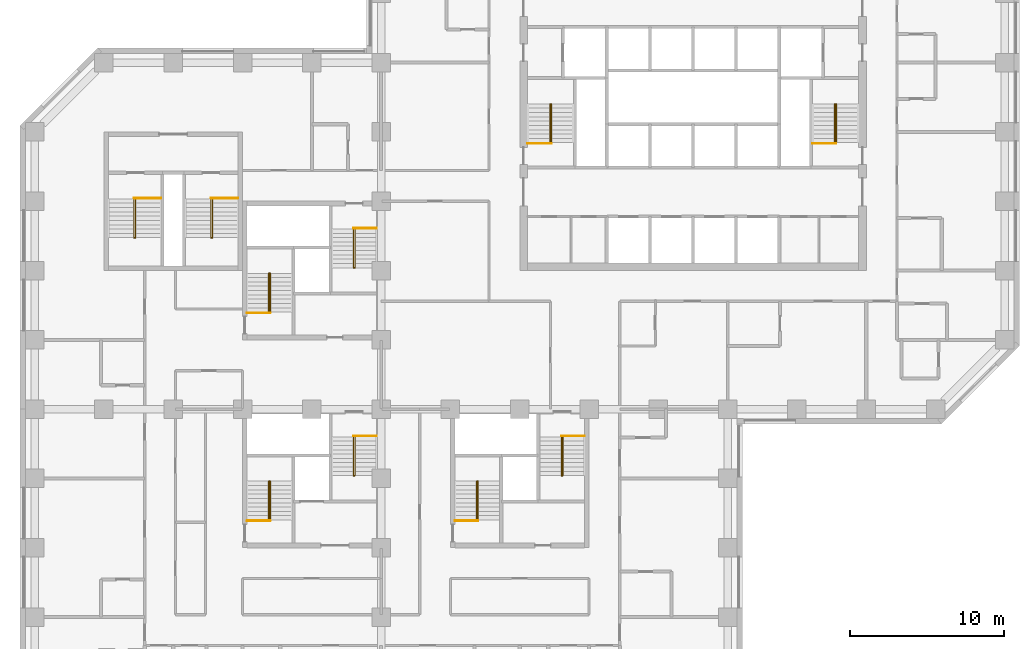
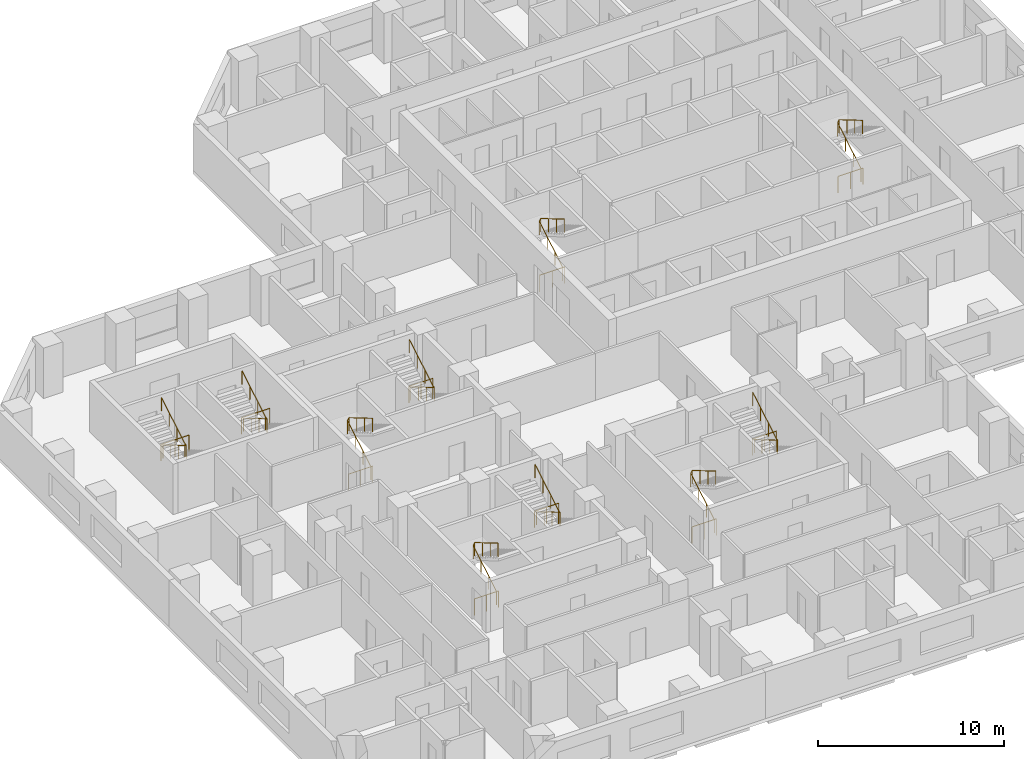
# One storey, part 12 of 12: 20 railings.
"""IFC4 building model written with IfcOpenShell, lengths in metres."""

from ifc_helpers import new_model, si_unit, direction, frame, origin, origin_2d, place, context, subcontext, project, spatial, circle, extrude, material, type_object, element, save


model = new_model("IFC4")

# Units and contexts
model_context = context("Model", 3, precision=1e-05, world=origin(), true_north=direction((0.0, 1.0)))
body_context = subcontext(model_context, "Body", "Model", "MODEL_VIEW")
ifc_project = project(units=[si_unit("LENGTHUNIT", "METRE"), si_unit("AREAUNIT", "SQUARE_METRE"), si_unit("VOLUMEUNIT", "CUBIC_METRE"), si_unit("PLANEANGLEUNIT", "RADIAN"), si_unit("MASSUNIT", "GRAM", prefix="KILO")], contexts=[model_context])

# Site, building, storey
site_placement = place(None, origin())
site = spatial("IfcSite", under=ifc_project, at=site_placement, CompositionType="ELEMENT")
building_placement = place(site_placement, origin())
building = spatial("IfcBuilding", under=site, at=building_placement, Name="Quoin Convention Tower", CompositionType="ELEMENT")
storey_placement = place(building_placement, frame((0.0, 0.0, 46.199951171875)))
storey = spatial("IfcBuildingStorey", under=building, at=storey_placement, Name="L11", CompositionType="ELEMENT", Elevation=46.199951171875)

# Railings
ifc_material = material(Name="Stainless steel", Category="steel")
railing_type_1 = type_object("IfcRailingType", Name="Stair handrail 900", PredefinedType="HANDRAIL", material=ifc_material)
for number, where, name in (
    (1, (46.955078125, 57.800048828125, 0.1650390625), "SD1 handrail 1"),
    (2, (65.455078125, 57.800048828125, 0.1650390625), "SD2 handrail 1"),
    (3, (28.705078125, 46.800048828125, 0.1650390625), "SD3 handrail 1"),
):
    element("IfcRailing", number, at=place(storey_placement, frame(where)), inside=storey, type_object=railing_type_1, Name=name, PredefinedType="HANDRAIL", context=body_context, shape_type="SweptSolid", body=[
        extrude(circle(Radius=0.02392578125, at=origin_2d()), frame((0.0, 0.0, 0.8759765625), z_axis=(0.0, 0.86152411907, 0.507716645641), x_axis=(-1.0, 0.0, 0.0)), (0.0, 0.0, 1.0), 2.925048828125),
        extrude(circle(Radius=0.02392578125, at=origin_2d()), frame((0.0, 2.52001953125, 2.36083984375), z_axis=(0.478669852, 0.0, 0.877994973098), x_axis=(0.0, 1.0, 0.0)), (0.0, 0.0, 1.0), 0.187744140625),
        extrude(circle(Radius=0.02392578125, at=origin_2d()), frame((0.08984375, 2.52001953125, 2.52587890625), z_axis=(0.0, -0.86152411907, 0.507716645641), x_axis=(1.0, 0.0, 0.0)), (0.0, 0.0, 1.0), 2.925048828125),
        extrude(circle(Radius=0.02099609375, at=origin_2d()), origin(), (0.0, 0.0, 1.0), 0.851806640625),
        extrude(circle(Radius=0.02099609375, at=origin_2d()), frame((0.0, 0.840087890625, 0.4951171875)), (0.0, 0.0, 1.0), 0.851806640625),
        extrude(circle(Radius=0.02099609375, at=origin_2d()), frame((0.0, 1.679931640625, 0.989990234375)), (0.0, 0.0, 1.0), 0.851806640625),
        extrude(circle(Radius=0.02099609375, at=origin_2d()), frame((0.0, 2.52001953125, 1.485107421875)), (0.0, 0.0, 1.0), 0.851806640625),
        extrude(circle(Radius=0.02099609375, at=origin_2d()), frame((0.08984375, 2.52001953125, 1.64990234375)), (0.0, 0.0, 1.0), 0.851806640625),
        extrude(circle(Radius=0.02099609375, at=origin_2d()), frame((0.08984375, 1.679931640625, 2.14501953125)), (0.0, 0.0, 1.0), 0.851806640625),
        extrude(circle(Radius=0.02099609375, at=origin_2d()), frame((0.08984375, 0.840087890625, 2.639892578125)), (0.0, 0.0, 1.0), 0.851806640625),
        extrude(circle(Radius=0.02099609375, at=origin_2d()), frame((0.08984375, 0.0, 3.135009765625)), (0.0, 0.0, 1.0), 0.851806640625),
    ])
railing_1_placement = place(storey_placement, frame((34.294921875, 52.199951171875, 0.1650390625)))
element("IfcRailing", 4, at=railing_1_placement, inside=storey, type_object=railing_type_1, Name="SD4 handrail 1", PredefinedType="HANDRAIL", context=body_context, shape_type="SweptSolid", body=[
    extrude(circle(Radius=0.02392578125, at=origin_2d()), frame((0.0, 0.0, 0.8759765625), z_axis=(0.0, -0.86152411907, 0.507716645641), x_axis=(1.0, 0.0, 0.0)), (0.0, 0.0, 1.0), 2.925048828125),
    extrude(circle(Radius=0.02392578125, at=origin_2d()), frame((0.0, -2.52001953125, 2.36083984375), z_axis=(-0.478669852, 0.0, 0.877994973098), x_axis=(0.0, -1.0, 0.0)), (0.0, 0.0, 1.0), 0.187744140625),
    extrude(circle(Radius=0.02392578125, at=origin_2d()), frame((-0.08984375, -2.52001953125, 2.52587890625), z_axis=(0.0, 0.86152411907, 0.507716645641), x_axis=(-1.0, 0.0, 0.0)), (0.0, 0.0, 1.0), 2.925048828125),
    extrude(circle(Radius=0.02099609375, at=origin_2d()), origin(), (0.0, 0.0, 1.0), 0.851806640625),
    extrude(circle(Radius=0.02099609375, at=origin_2d()), frame((0.0, -0.840087890625, 0.4951171875)), (0.0, 0.0, 1.0), 0.851806640625),
    extrude(circle(Radius=0.02099609375, at=origin_2d()), frame((0.0, -1.679931640625, 0.989990234375)), (0.0, 0.0, 1.0), 0.851806640625),
    extrude(circle(Radius=0.02099609375, at=origin_2d()), frame((0.0, -2.52001953125, 1.485107421875)), (0.0, 0.0, 1.0), 0.851806640625),
    extrude(circle(Radius=0.02099609375, at=origin_2d()), frame((-0.08984375, -2.52001953125, 1.64990234375)), (0.0, 0.0, 1.0), 0.851806640625),
    extrude(circle(Radius=0.02099609375, at=origin_2d()), frame((-0.08984375, -1.679931640625, 2.14501953125)), (0.0, 0.0, 1.0), 0.851806640625),
    extrude(circle(Radius=0.02099609375, at=origin_2d()), frame((-0.08984375, -0.840087890625, 2.639892578125)), (0.0, 0.0, 1.0), 0.851806640625),
    extrude(circle(Radius=0.02099609375, at=origin_2d()), frame((-0.08984375, 0.0, 3.135009765625)), (0.0, 0.0, 1.0), 0.851806640625),
])
railing_2_placement = place(storey_placement, frame((42.205078125, 33.300048828125, 0.1650390625)))
element("IfcRailing", 5, at=railing_2_placement, inside=storey, type_object=railing_type_1, Name="SD5 handrail 1", PredefinedType="HANDRAIL", context=body_context, shape_type="SweptSolid", body=[
    extrude(circle(Radius=0.02392578125, at=origin_2d()), frame((0.0, 0.0, 0.8759765625), z_axis=(0.0, 0.86152411907, 0.507716645641), x_axis=(-1.0, 0.0, 0.0)), (0.0, 0.0, 1.0), 2.925048828125),
    extrude(circle(Radius=0.02392578125, at=origin_2d()), frame((0.0, 2.52001953125, 2.36083984375), z_axis=(0.478669852, 0.0, 0.877994973098), x_axis=(0.0, 1.0, 0.0)), (0.0, 0.0, 1.0), 0.187744140625),
    extrude(circle(Radius=0.02392578125, at=origin_2d()), frame((0.08984375, 2.52001953125, 2.52587890625), z_axis=(0.0, -0.86152411907, 0.507716645641), x_axis=(1.0, 0.0, 0.0)), (0.0, 0.0, 1.0), 2.925048828125),
    extrude(circle(Radius=0.02099609375, at=origin_2d()), origin(), (0.0, 0.0, 1.0), 0.851806640625),
    extrude(circle(Radius=0.02099609375, at=origin_2d()), frame((0.0, 0.840087890625, 0.4951171875)), (0.0, 0.0, 1.0), 0.851806640625),
    extrude(circle(Radius=0.02099609375, at=origin_2d()), frame((0.0, 1.679931640625, 0.989990234375)), (0.0, 0.0, 1.0), 0.851806640625),
    extrude(circle(Radius=0.02099609375, at=origin_2d()), frame((0.0, 2.52001953125, 1.485107421875)), (0.0, 0.0, 1.0), 0.851806640625),
    extrude(circle(Radius=0.02099609375, at=origin_2d()), frame((0.08984375, 2.52001953125, 1.64990234375)), (0.0, 0.0, 1.0), 0.851806640625),
    extrude(circle(Radius=0.02099609375, at=origin_2d()), frame((0.08984375, 1.679931640625, 2.14501953125)), (0.0, 0.0, 1.0), 0.851806640625),
    extrude(circle(Radius=0.02099609375, at=origin_2d()), frame((0.08984375, 0.840087890625, 2.639892578125)), (0.0, 0.0, 1.0), 0.851806640625),
    extrude(circle(Radius=0.02099609375, at=origin_2d()), frame((0.08984375, 0.0, 3.135009765625)), (0.0, 0.0, 1.0), 0.851806640625),
])
railing_3_placement = place(storey_placement, frame((47.794921875, 38.699951171875, 0.1650390625)))
element("IfcRailing", 6, at=railing_3_placement, inside=storey, type_object=railing_type_1, Name="SD6 handrail 1", PredefinedType="HANDRAIL", context=body_context, shape_type="SweptSolid", body=[
    extrude(circle(Radius=0.02392578125, at=origin_2d()), frame((0.0, 0.0, 0.8759765625), z_axis=(0.0, -0.86152411907, 0.507716645641), x_axis=(1.0, 0.0, 0.0)), (0.0, 0.0, 1.0), 2.925048828125),
    extrude(circle(Radius=0.02392578125, at=origin_2d()), frame((0.0, -2.52001953125, 2.36083984375), z_axis=(-0.478669852, 0.0, 0.877994973098), x_axis=(0.0, -1.0, 0.0)), (0.0, 0.0, 1.0), 0.187744140625),
    extrude(circle(Radius=0.02392578125, at=origin_2d()), frame((-0.08984375, -2.52001953125, 2.52587890625), z_axis=(0.0, 0.86152411907, 0.507716645641), x_axis=(-1.0, 0.0, 0.0)), (0.0, 0.0, 1.0), 2.925048828125),
    extrude(circle(Radius=0.02099609375, at=origin_2d()), origin(), (0.0, 0.0, 1.0), 0.851806640625),
    extrude(circle(Radius=0.02099609375, at=origin_2d()), frame((0.0, -0.840087890625, 0.4951171875)), (0.0, 0.0, 1.0), 0.851806640625),
    extrude(circle(Radius=0.02099609375, at=origin_2d()), frame((0.0, -1.679931640625, 0.989990234375)), (0.0, 0.0, 1.0), 0.851806640625),
    extrude(circle(Radius=0.02099609375, at=origin_2d()), frame((0.0, -2.52001953125, 1.485107421875)), (0.0, 0.0, 1.0), 0.851806640625),
    extrude(circle(Radius=0.02099609375, at=origin_2d()), frame((-0.08984375, -2.52001953125, 1.64990234375)), (0.0, 0.0, 1.0), 0.851806640625),
    extrude(circle(Radius=0.02099609375, at=origin_2d()), frame((-0.08984375, -1.679931640625, 2.14501953125)), (0.0, 0.0, 1.0), 0.851806640625),
    extrude(circle(Radius=0.02099609375, at=origin_2d()), frame((-0.08984375, -0.840087890625, 2.639892578125)), (0.0, 0.0, 1.0), 0.851806640625),
    extrude(circle(Radius=0.02099609375, at=origin_2d()), frame((-0.08984375, 0.0, 3.135009765625)), (0.0, 0.0, 1.0), 0.851806640625),
])
railing_4_placement = place(storey_placement, frame((28.705078125, 33.300048828125, 0.1650390625)))
element("IfcRailing", 7, at=railing_4_placement, inside=storey, type_object=railing_type_1, Name="SD7 handrail 1", PredefinedType="HANDRAIL", context=body_context, shape_type="SweptSolid", body=[
    extrude(circle(Radius=0.02392578125, at=origin_2d()), frame((0.0, 0.0, 0.8759765625), z_axis=(0.0, 0.86152411907, 0.507716645641), x_axis=(-1.0, 0.0, 0.0)), (0.0, 0.0, 1.0), 2.925048828125),
    extrude(circle(Radius=0.02392578125, at=origin_2d()), frame((0.0, 2.52001953125, 2.36083984375), z_axis=(0.478669852, 0.0, 0.877994973098), x_axis=(0.0, 1.0, 0.0)), (0.0, 0.0, 1.0), 0.187744140625),
    extrude(circle(Radius=0.02392578125, at=origin_2d()), frame((0.08984375, 2.52001953125, 2.52587890625), z_axis=(0.0, -0.86152411907, 0.507716645641), x_axis=(1.0, 0.0, 0.0)), (0.0, 0.0, 1.0), 2.925048828125),
    extrude(circle(Radius=0.02099609375, at=origin_2d()), origin(), (0.0, 0.0, 1.0), 0.851806640625),
    extrude(circle(Radius=0.02099609375, at=origin_2d()), frame((0.0, 0.840087890625, 0.4951171875)), (0.0, 0.0, 1.0), 0.851806640625),
    extrude(circle(Radius=0.02099609375, at=origin_2d()), frame((0.0, 1.679931640625, 0.989990234375)), (0.0, 0.0, 1.0), 0.851806640625),
    extrude(circle(Radius=0.02099609375, at=origin_2d()), frame((0.0, 2.52001953125, 1.485107421875)), (0.0, 0.0, 1.0), 0.851806640625),
    extrude(circle(Radius=0.02099609375, at=origin_2d()), frame((0.08984375, 2.52001953125, 1.64990234375)), (0.0, 0.0, 1.0), 0.851806640625),
    extrude(circle(Radius=0.02099609375, at=origin_2d()), frame((0.08984375, 1.679931640625, 2.14501953125)), (0.0, 0.0, 1.0), 0.851806640625),
    extrude(circle(Radius=0.02099609375, at=origin_2d()), frame((0.08984375, 0.840087890625, 2.639892578125)), (0.0, 0.0, 1.0), 0.851806640625),
    extrude(circle(Radius=0.02099609375, at=origin_2d()), frame((0.08984375, 0.0, 3.135009765625)), (0.0, 0.0, 1.0), 0.851806640625),
])
for number, where, name in (
    (8, (34.294921875, 38.699951171875, 0.1650390625), "SD8 handrail 1"),
    (9, (20.044921875, 54.14990234375, 0.1650390625), "SD11 handrail 1"),
    (10, (25.044921875, 54.14990234375, 0.1650390625), "SD12 handrail 1"),
):
    element("IfcRailing", number, at=place(storey_placement, frame(where)), inside=storey, type_object=railing_type_1, Name=name, PredefinedType="HANDRAIL", context=body_context, shape_type="SweptSolid", body=[
        extrude(circle(Radius=0.02392578125, at=origin_2d()), frame((0.0, 0.0, 0.8759765625), z_axis=(0.0, -0.86152411907, 0.507716645641), x_axis=(1.0, 0.0, 0.0)), (0.0, 0.0, 1.0), 2.925048828125),
        extrude(circle(Radius=0.02392578125, at=origin_2d()), frame((0.0, -2.52001953125, 2.36083984375), z_axis=(-0.478669852, 0.0, 0.877994973098), x_axis=(0.0, -1.0, 0.0)), (0.0, 0.0, 1.0), 0.187744140625),
        extrude(circle(Radius=0.02392578125, at=origin_2d()), frame((-0.08984375, -2.52001953125, 2.52587890625), z_axis=(0.0, 0.86152411907, 0.507716645641), x_axis=(-1.0, 0.0, 0.0)), (0.0, 0.0, 1.0), 2.925048828125),
        extrude(circle(Radius=0.02099609375, at=origin_2d()), origin(), (0.0, 0.0, 1.0), 0.851806640625),
        extrude(circle(Radius=0.02099609375, at=origin_2d()), frame((0.0, -0.840087890625, 0.4951171875)), (0.0, 0.0, 1.0), 0.851806640625),
        extrude(circle(Radius=0.02099609375, at=origin_2d()), frame((0.0, -1.679931640625, 0.989990234375)), (0.0, 0.0, 1.0), 0.851806640625),
        extrude(circle(Radius=0.02099609375, at=origin_2d()), frame((0.0, -2.52001953125, 1.485107421875)), (0.0, 0.0, 1.0), 0.851806640625),
        extrude(circle(Radius=0.02099609375, at=origin_2d()), frame((-0.08984375, -2.52001953125, 1.64990234375)), (0.0, 0.0, 1.0), 0.851806640625),
        extrude(circle(Radius=0.02099609375, at=origin_2d()), frame((-0.08984375, -1.679931640625, 2.14501953125)), (0.0, 0.0, 1.0), 0.851806640625),
        extrude(circle(Radius=0.02099609375, at=origin_2d()), frame((-0.08984375, -0.840087890625, 2.639892578125)), (0.0, 0.0, 1.0), 0.851806640625),
        extrude(circle(Radius=0.02099609375, at=origin_2d()), frame((-0.08984375, 0.0, 3.135009765625)), (0.0, 0.0, 1.0), 0.851806640625),
    ])
railing_type_2 = type_object("IfcRailingType", Name="Stair top guard 1100", PredefinedType="GUARDRAIL", material=ifc_material)
for number, where, name in (
    (11, (45.5, 57.75, 0.0), "SD1 top guard"),
    (12, (64.0, 57.75, 0.0), "SD2 top guard"),
):
    element("IfcRailing", number, at=place(storey_placement, frame(where)), inside=storey, type_object=railing_type_2, Name=name, PredefinedType="GUARDRAIL", context=body_context, shape_type="SweptSolid", body=[
        extrude(circle(Radius=0.02392578125, at=origin_2d()), frame((0.0, 0.0, 1.076171875), z_axis=(1.0, 0.0, 0.0), x_axis=(0.0, 1.0, 0.0)), (0.0, 0.0, 1.0), 1.544921875),
        extrude(circle(Radius=0.02099609375, at=origin_2d()), origin(), (0.0, 0.0, 1.0), 1.052001953125),
        extrude(circle(Radius=0.02099609375, at=origin_2d()), frame((0.7724609375, 0.0, 0.0)), (0.0, 0.0, 1.0), 1.052001953125),
        extrude(circle(Radius=0.02099609375, at=origin_2d()), frame((1.544921875, 0.0, 0.0)), (0.0, 0.0, 1.0), 1.052001953125),
    ])
railing_5_placement = place(storey_placement, frame((27.300048828125, 46.75, 0.0)))
element("IfcRailing", 13, at=railing_5_placement, inside=storey, type_object=railing_type_2, Name="SD3 top guard", PredefinedType="GUARDRAIL", context=body_context, shape_type="SweptSolid", body=[
    extrude(circle(Radius=0.02392578125, at=origin_2d()), frame((0.0, 0.0, 1.076171875), z_axis=(1.0, 0.0, 0.0), x_axis=(0.0, 1.0, 0.0)), (0.0, 0.0, 1.0), 1.494873046875),
    extrude(circle(Radius=0.02099609375, at=origin_2d()), origin(), (0.0, 0.0, 1.0), 1.052001953125),
    extrude(circle(Radius=0.02099609375, at=origin_2d()), frame((0.74755859375, 0.0, 0.0)), (0.0, 0.0, 1.0), 1.052001953125),
    extrude(circle(Radius=0.02099609375, at=origin_2d()), frame((1.494873046875, 0.0, 0.0)), (0.0, 0.0, 1.0), 1.052001953125),
])
railing_6_placement = place(storey_placement, frame((35.699951171875, 52.25, 0.0)))
element("IfcRailing", 14, at=railing_6_placement, inside=storey, type_object=railing_type_2, Name="SD4 top guard", PredefinedType="GUARDRAIL", context=body_context, shape_type="SweptSolid", body=[
    extrude(circle(Radius=0.02392578125, at=origin_2d()), frame((0.0, 0.0, 1.076171875), z_axis=(-1.0, 0.0, 0.0), x_axis=(0.0, -1.0, 0.0)), (0.0, 0.0, 1.0), 1.494873046875),
    extrude(circle(Radius=0.02099609375, at=origin_2d()), origin(), (0.0, 0.0, 1.0), 1.052001953125),
    extrude(circle(Radius=0.02099609375, at=origin_2d()), frame((-0.74755859375, 0.0, 0.0)), (0.0, 0.0, 1.0), 1.052001953125),
    extrude(circle(Radius=0.02099609375, at=origin_2d()), frame((-1.494873046875, 0.0, 0.0)), (0.0, 0.0, 1.0), 1.052001953125),
])
railing_7_placement = place(storey_placement, frame((40.800048828125, 33.25, 0.0)))
element("IfcRailing", 15, at=railing_7_placement, inside=storey, type_object=railing_type_2, Name="SD5 top guard", PredefinedType="GUARDRAIL", context=body_context, shape_type="SweptSolid", body=[
    extrude(circle(Radius=0.02392578125, at=origin_2d()), frame((0.0, 0.0, 1.076171875), z_axis=(1.0, 0.0, 0.0), x_axis=(0.0, 1.0, 0.0)), (0.0, 0.0, 1.0), 1.494873046875),
    extrude(circle(Radius=0.02099609375, at=origin_2d()), origin(), (0.0, 0.0, 1.0), 1.052001953125),
    extrude(circle(Radius=0.02099609375, at=origin_2d()), frame((0.74755859375, 0.0, 0.0)), (0.0, 0.0, 1.0), 1.052001953125),
    extrude(circle(Radius=0.02099609375, at=origin_2d()), frame((1.494873046875, 0.0, 0.0)), (0.0, 0.0, 1.0), 1.052001953125),
])
railing_8_placement = place(storey_placement, frame((49.199951171875, 38.75, 0.0)))
element("IfcRailing", 16, at=railing_8_placement, inside=storey, type_object=railing_type_2, Name="SD6 top guard", PredefinedType="GUARDRAIL", context=body_context, shape_type="SweptSolid", body=[
    extrude(circle(Radius=0.02392578125, at=origin_2d()), frame((0.0, 0.0, 1.076171875), z_axis=(-1.0, 0.0, 0.0), x_axis=(0.0, -1.0, 0.0)), (0.0, 0.0, 1.0), 1.494873046875),
    extrude(circle(Radius=0.02099609375, at=origin_2d()), origin(), (0.0, 0.0, 1.0), 1.052001953125),
    extrude(circle(Radius=0.02099609375, at=origin_2d()), frame((-0.74755859375, 0.0, 0.0)), (0.0, 0.0, 1.0), 1.052001953125),
    extrude(circle(Radius=0.02099609375, at=origin_2d()), frame((-1.494873046875, 0.0, 0.0)), (0.0, 0.0, 1.0), 1.052001953125),
])
railing_9_placement = place(storey_placement, frame((27.300048828125, 33.25, 0.0)))
element("IfcRailing", 17, at=railing_9_placement, inside=storey, type_object=railing_type_2, Name="SD7 top guard", PredefinedType="GUARDRAIL", context=body_context, shape_type="SweptSolid", body=[
    extrude(circle(Radius=0.02392578125, at=origin_2d()), frame((0.0, 0.0, 1.076171875), z_axis=(1.0, 0.0, 0.0), x_axis=(0.0, 1.0, 0.0)), (0.0, 0.0, 1.0), 1.494873046875),
    extrude(circle(Radius=0.02099609375, at=origin_2d()), origin(), (0.0, 0.0, 1.0), 1.052001953125),
    extrude(circle(Radius=0.02099609375, at=origin_2d()), frame((0.74755859375, 0.0, 0.0)), (0.0, 0.0, 1.0), 1.052001953125),
    extrude(circle(Radius=0.02099609375, at=origin_2d()), frame((1.494873046875, 0.0, 0.0)), (0.0, 0.0, 1.0), 1.052001953125),
])
railing_10_placement = place(storey_placement, frame((35.699951171875, 38.75, 0.0)))
element("IfcRailing", 18, at=railing_10_placement, inside=storey, type_object=railing_type_2, Name="SD8 top guard", PredefinedType="GUARDRAIL", context=body_context, shape_type="SweptSolid", body=[
    extrude(circle(Radius=0.02392578125, at=origin_2d()), frame((0.0, 0.0, 1.076171875), z_axis=(-1.0, 0.0, 0.0), x_axis=(0.0, -1.0, 0.0)), (0.0, 0.0, 1.0), 1.494873046875),
    extrude(circle(Radius=0.02099609375, at=origin_2d()), origin(), (0.0, 0.0, 1.0), 1.052001953125),
    extrude(circle(Radius=0.02099609375, at=origin_2d()), frame((-0.74755859375, 0.0, 0.0)), (0.0, 0.0, 1.0), 1.052001953125),
    extrude(circle(Radius=0.02099609375, at=origin_2d()), frame((-1.494873046875, 0.0, 0.0)), (0.0, 0.0, 1.0), 1.052001953125),
])
for number, where, name in (
    (19, (21.699951171875, 54.199951171875, 0.0), "SD11 top guard"),
    (20, (26.699951171875, 54.199951171875, 0.0), "SD12 top guard"),
):
    element("IfcRailing", number, at=place(storey_placement, frame(where)), inside=storey, type_object=railing_type_2, Name=name, PredefinedType="GUARDRAIL", context=body_context, shape_type="SweptSolid", body=[
        extrude(circle(Radius=0.02392578125, at=origin_2d()), frame((0.0, 0.0, 1.076171875), z_axis=(-1.0, 0.0, 0.0), x_axis=(0.0, -1.0, 0.0)), (0.0, 0.0, 1.0), 1.744873046875),
        extrude(circle(Radius=0.02099609375, at=origin_2d()), origin(), (0.0, 0.0, 1.0), 1.052001953125),
        extrude(circle(Radius=0.02099609375, at=origin_2d()), frame((-0.87255859375, 0.0, 0.0)), (0.0, 0.0, 1.0), 1.052001953125),
        extrude(circle(Radius=0.02099609375, at=origin_2d()), frame((-1.744873046875, 0.0, 0.0)), (0.0, 0.0, 1.0), 1.052001953125),
    ])

save(model, "model.ifc")
